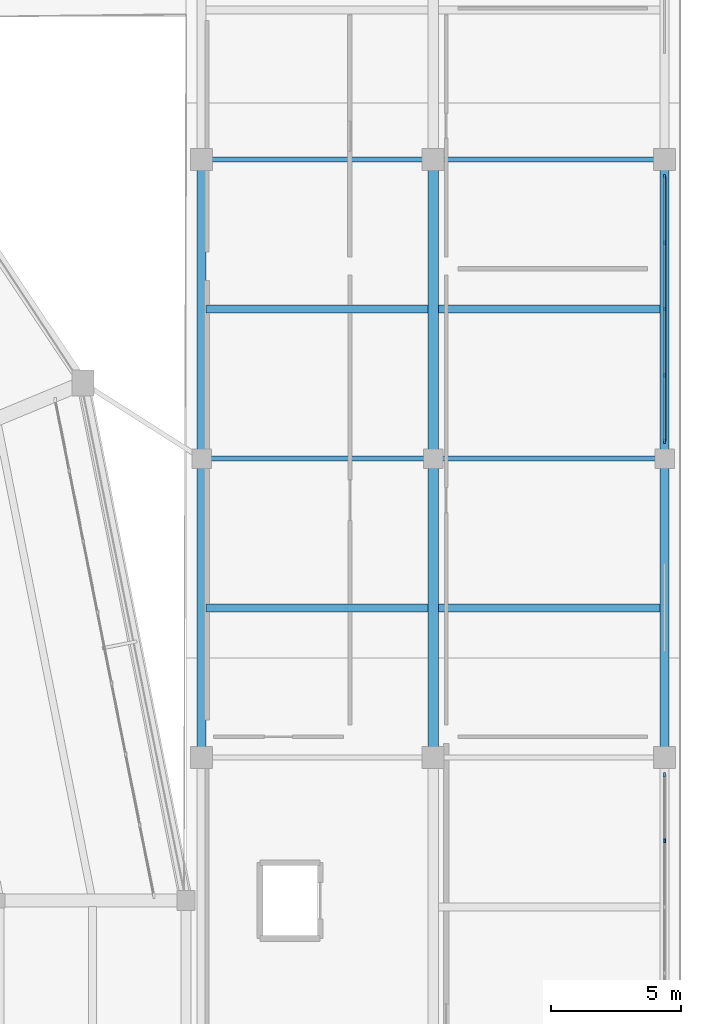
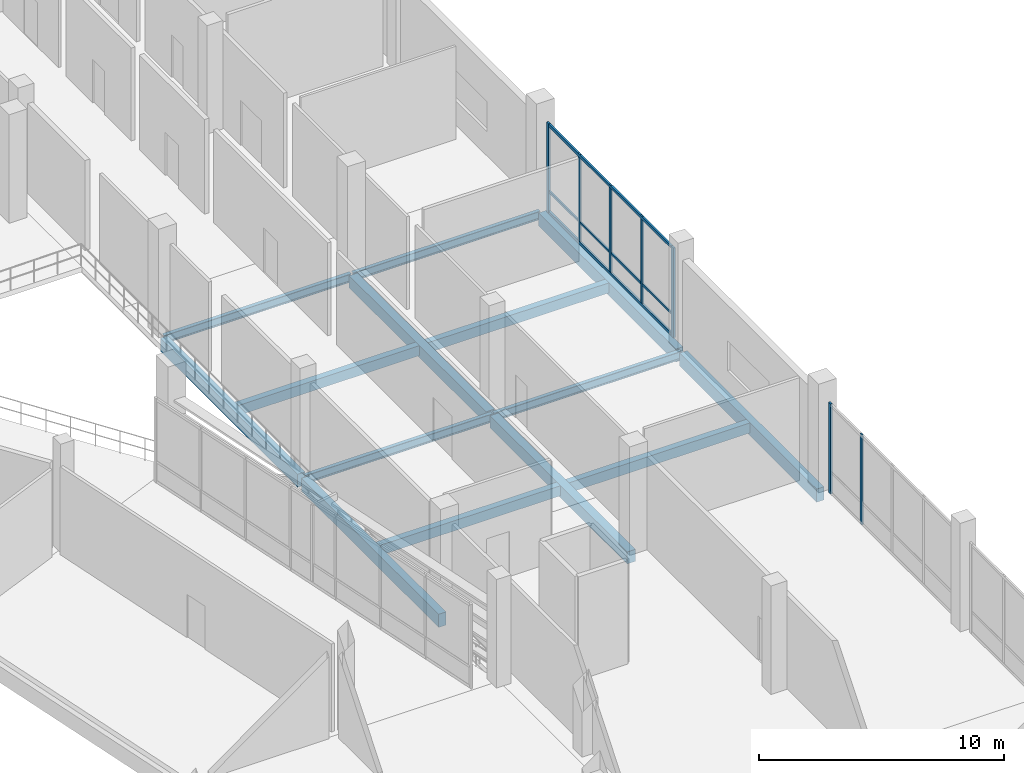
# One storey, part 45 of 114: 14 beams, 10 members, 2 elements without a shape of their own.
"""IFC4 building model written with IfcOpenShell, lengths in metres."""

import ifcopenshell
import ifcopenshell.guid

model = None  # the IFC model being written
_history = None  # IfcOwnerHistory: only IFC2X3 demands one
_inside = {}  # id of a spatial element -> (the spatial element, [elements in it])
_under = {}  # id of a project, library or spatial element -> (it, [spatial elements below it])
_declared = {}  # id of a project -> (the project, [libraries it declares])
_typed = {}  # id of a type object -> (the type object, [elements of that type])
_made_of = {}  # id of a material, layer set ... -> (it, [elements and type objects made of it])


def new_model(schema):
    """Start an empty IFC model of exactly this schema.

    Asked for "IFC4X3", IfcOpenShell would pick the latest addendum, in which some entities
    have other attributes; the version numbers below select the first issue.
    IFC2X3 requires an IfcOwnerHistory on every rooted entity: one is made here for all.
    """
    global model, _history
    if schema == "IFC4X3":
        model = ifcopenshell.file(schema_version=(4, 3, 0, 0))
    else:
        model = ifcopenshell.file(schema=schema)
    _inside.clear()
    _under.clear()
    _declared.clear()
    _typed.clear()
    _made_of.clear()
    _history = None
    if model.schema == "IFC2X3":
        org = make("IfcOrganization", Name="unknown")
        user = make(
            "IfcPersonAndOrganization",
            ThePerson=make("IfcPerson", FamilyName="unknown"),
            TheOrganization=org,
        )
        app = make(
            "IfcApplication",
            ApplicationDeveloper=org,
            Version="unknown",
            ApplicationFullName="unknown",
            ApplicationIdentifier="unknown",
        )
        _history = make(
            "IfcOwnerHistory",
            OwningUser=user,
            OwningApplication=app,
            ChangeAction="ADDED",
            CreationDate=0,
        )
    return model


def make(cls, **values):
    """One entity of the class cls with the attributes given. An attribute that is None is left unset."""
    return model.create_entity(
        cls, **{name: value for name, value in values.items() if value is not None}
    )


def rooted(cls, **values):
    """An entity with a GlobalId (a new one), such as an element, a storey or a relation."""
    return make(cls, GlobalId=ifcopenshell.guid.new(), OwnerHistory=_history, **values)


def si_unit(unit_type, name, prefix=None):
    """IfcSIUnit, for example si_unit("LENGTHUNIT", "METRE", prefix="MILLI")."""
    return make("IfcSIUnit", UnitType=unit_type, Prefix=prefix, Name=name)


def assignment(units):
    """IfcUnitAssignment: the units of a project."""
    return None if units is None else make("IfcUnitAssignment", Units=units)


def point(xyz):
    """IfcCartesianPoint."""
    return None if xyz is None else make("IfcCartesianPoint", Coordinates=xyz)


def direction(xyz):
    """IfcDirection."""
    return None if xyz is None else make("IfcDirection", DirectionRatios=xyz)


def frame(location, z_axis=None, x_axis=None):
    """IfcAxis2Placement3D, a coordinate frame: its origin and axes. An axis left out is left unset."""
    return make(
        "IfcAxis2Placement3D",
        Location=point(location),
        Axis=direction(z_axis),
        RefDirection=direction(x_axis),
    )


def frame_2d(location, x_axis=None):
    """IfcAxis2Placement2D, a coordinate frame in the plane: its origin and x axis."""
    return make(
        "IfcAxis2Placement2D", Location=point(location), RefDirection=direction(x_axis)
    )


def origin():
    """The frame at (0, 0, 0) with its axes left unset."""
    return frame((0.0, 0.0, 0.0))


def origin_2d():
    """The frame at (0, 0) in the plane with its x axis left unset."""
    return frame_2d((0.0, 0.0))


def place(relative_to, where):
    """IfcLocalPlacement: puts the frame where relative to a parent placement (None: the world)."""
    return make(
        "IfcLocalPlacement", PlacementRelTo=relative_to, RelativePlacement=where
    )


def context(
    kind, dimensions, precision=None, world=None, true_north=None, identifier=None
):
    """IfcGeometricRepresentationContext, for example the 3D "Model" context."""
    return make(
        "IfcGeometricRepresentationContext",
        ContextIdentifier=identifier,
        ContextType=kind,
        CoordinateSpaceDimension=dimensions,
        Precision=precision,
        WorldCoordinateSystem=world,
        TrueNorth=true_north,
    )


def subcontext(parent, identifier, kind, view, scale=None):
    """IfcGeometricRepresentationSubContext, for example "Body" below "Model"."""
    return make(
        "IfcGeometricRepresentationSubContext",
        ContextIdentifier=identifier,
        ContextType=kind,
        ParentContext=parent,
        TargetScale=scale,
        TargetView=view,
    )


def project(units=None, contexts=None):
    """IfcProject with its units and contexts."""
    return rooted(
        "IfcProject",
        Name="project",
        RepresentationContexts=contexts,
        UnitsInContext=assignment(units),
    )


def spatial(cls, under=None, at=None, **own):
    """A site, building, storey or space (cls), placed at a placement, below another one or the project."""
    s = rooted(cls, ObjectPlacement=at, **own)
    if under is not None:
        _under.setdefault(under.id(), (under, []))[1].append(s)
    return s


def profile(cls, at=None, kind="AREA", **sizes):
    """A parametric profile (cls). Its sizes go by their IFC names, for example OverallWidth=200.0."""
    return make(cls, ProfileType=kind, Position=at, **sizes)


def rectangle(**sizes):
    """IfcRectangleProfileDef."""
    return profile("IfcRectangleProfileDef", **sizes)


def i_section(**sizes):
    """IfcIShapeProfileDef."""
    return profile("IfcIShapeProfileDef", **sizes)


def extrude(swept, where, along, depth):
    """IfcExtrudedAreaSolid: the profile swept, set in the frame where, extruded along a direction by depth."""
    return make(
        "IfcExtrudedAreaSolid",
        SweptArea=swept,
        Position=where,
        ExtrudedDirection=direction(along),
        Depth=depth,
    )


def shape(context_of_items, identifier, shape_type, items):
    """IfcShapeRepresentation: the items that make up one representation, for example the "Body"."""
    return make(
        "IfcShapeRepresentation",
        ContextOfItems=context_of_items,
        RepresentationIdentifier=identifier,
        RepresentationType=shape_type,
        Items=items,
    )


def material(Name=None, Category=None):
    """IfcMaterial."""
    return make("IfcMaterial", Name=Name, Category=Category)


def material_profile(
    of_material, cross_section, Name=None, Category=None, Priority=None
):
    """IfcMaterialProfile: a cross section and its material."""
    return make(
        "IfcMaterialProfile",
        Name=Name,
        Material=of_material,
        Profile=cross_section,
        Priority=Priority,
        Category=Category,
    )


def profile_set(profiles, Name=None, composite=None):
    """IfcMaterialProfileSet."""
    return make(
        "IfcMaterialProfileSet",
        Name=Name,
        MaterialProfiles=profiles,
        CompositeProfile=composite,
    )


def made_of(thing, what):
    """Note that an element or type object is made of a material, layer set ...; save() writes the relation."""
    if what is not None:
        _made_of.setdefault(what.id(), (what, []))[1].append(thing)
    return thing


def type_object(cls, material=None, **own):
    """A type object (cls), such as IfcWallType, which elements share."""
    return made_of(rooted(cls, **own), material)


def element(
    cls,
    number,
    at=None,
    inside=None,
    cuts=None,
    type_object=None,
    material=None,
    context=None,
    identifier="Body",
    shape_type=None,
    held_by="IfcProductDefinitionShape",
    body=None,
    shapes=None,
    **own,
):
    """One element of the class cls, such as IfcWall. Its Tag is "e" and its number.

    at: its placement. inside: the storey or other place that contains it. cuts: it is an
    opening in that element (IfcRelVoidsElement). A single representation is given by context,
    identifier, shape_type and body (its items); several are given by shapes. held_by: the class
    of the entity that holds the representations. save() writes the other relations.
    """
    e = rooted(cls, Tag="e%d" % number, ObjectPlacement=at, **own)
    if body is not None:
        shapes = [shape(context, identifier, shape_type, body)]
    if shapes is not None:
        e.Representation = make(held_by, Representations=shapes)
    if inside is not None:
        _inside.setdefault(inside.id(), (inside, []))[1].append(e)
    if cuts is not None:
        rooted(
            "IfcRelVoidsElement", RelatingBuildingElement=cuts, RelatedOpeningElement=e
        )
    if type_object is not None:
        _typed.setdefault(type_object.id(), (type_object, []))[1].append(e)
    return made_of(e, material)


def aggregate(whole, parts):
    """IfcRelAggregates: a whole, such as a stair, and the parts it consists of."""
    return rooted("IfcRelAggregates", RelatingObject=whole, RelatedObjects=parts)


def save(model, path):
    """Write the relations noted so far, then the file.

    IfcRelAggregates (storeys below a building ...), IfcRelContainedInSpatialStructure (elements
    in a storey), IfcRelDefinesByType, IfcRelAssociatesMaterial and IfcRelDeclares: one each for
    every whole, place, type object, material and project.
    """
    for whole, parts in _under.values():
        aggregate(whole, parts)
    for where, things in _inside.values():
        rooted(
            "IfcRelContainedInSpatialStructure",
            RelatedElements=things,
            RelatingStructure=where,
        )
    for kind, things in _typed.values():
        rooted("IfcRelDefinesByType", RelatedObjects=things, RelatingType=kind)
    for what, things in _made_of.values():
        rooted("IfcRelAssociatesMaterial", RelatedObjects=things, RelatingMaterial=what)
    for by, libraries in _declared.values():
        rooted("IfcRelDeclares", RelatingContext=by, RelatedDefinitions=libraries)
    model.write(path)


model = new_model("IFC4")

# Units and contexts
model_context = context("Model", 3, precision=1e-05, world=origin(), true_north=direction((0.0, 1.0)))
body_context = subcontext(model_context, "Body", "Model", "MODEL_VIEW")
ifc_project = project(units=[si_unit("LENGTHUNIT", "METRE"), si_unit("AREAUNIT", "SQUARE_METRE"), si_unit("VOLUMEUNIT", "CUBIC_METRE"), si_unit("PLANEANGLEUNIT", "RADIAN"), si_unit("MASSUNIT", "GRAM", prefix="KILO")], contexts=[model_context])

# Site, building, storey
site_placement = place(None, origin())
site = spatial("IfcSite", under=ifc_project, at=site_placement, CompositionType="ELEMENT")
building_placement = place(site_placement, origin())
building = spatial("IfcBuilding", under=site, at=building_placement, Name="Candeia Ridge Stadium", CompositionType="ELEMENT")
storey_placement = place(building_placement, frame((0.0, 0.0, 5.39990234375)))
storey = spatial("IfcBuildingStorey", under=building, at=storey_placement, Name="L01", CompositionType="ELEMENT", Elevation=5.39990234375)

# Curtain wall, member
ifc_material_1 = material(Name="Aluminium Anodized Warm Bronze", Category="aluminium")
curtain_wall_type = type_object("IfcCurtainWallType", Name="Cardinal Entrance Gate Tall Glazed Curtain Wall", PredefinedType="NOTDEFINED", material=ifc_material_1)
curtain_wall_1_placement = place(storey_placement, origin())
curtain_wall_1 = element("IfcCurtainWall", 1, at=curtain_wall_1_placement, inside=storey, type_object=curtain_wall_type, Name="Unitised curtain wall CW-WNG-L01-104", PredefinedType="NOTDEFINED")
ifc_material_profile_1 = material_profile(ifc_material_1, rectangle(XDim=0.090087890625, YDim=0.179931640625, at=origin_2d()), Name="CWM-90x180", Category="aluminium")
ifc_profile_set_1 = profile_set([ifc_material_profile_1], Name="Aluminium Anodized Warm Bronze")
member_type_1 = type_object("IfcMemberType", Name="Curtain Wall Primary Mullion 90x180", PredefinedType="MULLION", material=ifc_profile_set_1)
member_1_placement = place(storey_placement, frame((211.39990234375, 99.840087890625, 0.0), z_axis=(0.0, 0.0, 1.0), x_axis=(1.0, 0.0, 0.0)))
member_1 = element("IfcMember", 2, at=member_1_placement, type_object=member_type_1, Name="Curtain wall mullion CW-WNG-L01-104-M4", PredefinedType="MULLION", context=body_context, shape_type="SweptSolid", body=[
    extrude(rectangle(XDim=0.090087890625, YDim=0.179931640625, at=origin_2d()), origin(), (0.0, 0.0, 1.0), 4.47509765625),
])

# Curtain wall, members
curtain_wall_2_placement = place(storey_placement, origin())
curtain_wall_2 = element("IfcCurtainWall", 3, at=curtain_wall_2_placement, inside=storey, type_object=curtain_wall_type, Name="Unitised curtain wall CW-WNG-L01-105", PredefinedType="NOTDEFINED")
member_2_placement = place(storey_placement, frame((211.39990234375, 112.659912109375, 0.0), z_axis=(0.0, 0.0, 1.0), x_axis=(1.0, 0.0, 0.0)))
member_2 = element("IfcMember", 4, at=member_2_placement, type_object=member_type_1, Name="Curtain wall mullion CW-WNG-L01-105-M0", PredefinedType="MULLION", context=body_context, shape_type="SweptSolid", body=[
    extrude(rectangle(XDim=0.090087890625, YDim=0.179931640625, at=origin_2d()), origin(), (0.0, 0.0, 1.0), 4.47509765625),
])
member_3_placement = place(storey_placement, frame((211.39990234375, 122.840087890625, 0.0), z_axis=(0.0, 0.0, 1.0), x_axis=(1.0, 0.0, 0.0)))
member_3 = element("IfcMember", 5, at=member_3_placement, type_object=member_type_1, Name="Curtain wall mullion CW-WNG-L01-105-M4", PredefinedType="MULLION", context=body_context, shape_type="SweptSolid", body=[
    extrude(rectangle(XDim=0.090087890625, YDim=0.179931640625, at=origin_2d()), origin(), (0.0, 0.0, 1.0), 4.47509765625),
])

# Member
ifc_material_profile_2 = material_profile(ifc_material_1, rectangle(XDim=0.074951171875, YDim=0.14990234375, at=origin_2d()), Name="CWM-75x150", Category="aluminium")
ifc_profile_set_2 = profile_set([ifc_material_profile_2], Name="Aluminium Anodized Warm Bronze")
member_type_2 = type_object("IfcMemberType", Name="Curtain Wall Secondary Mullion 75x150", PredefinedType="MULLION", material=ifc_profile_set_2)
member_4_placement = place(storey_placement, frame((211.39990234375, 97.294921875, 0.0), z_axis=(0.0, 0.0, 1.0), x_axis=(1.0, 0.0, 0.0)))
member_4 = element("IfcMember", 6, at=member_4_placement, type_object=member_type_2, Name="Curtain wall mullion CW-WNG-L01-104-M3", PredefinedType="MULLION", context=body_context, shape_type="SweptSolid", body=[
    extrude(rectangle(XDim=0.074951171875, YDim=0.14990234375, at=origin_2d()), origin(), (0.0, 0.0, 1.0), 4.47509765625),
])

aggregate(curtain_wall_1, [member_4, member_1])

member_5_placement = place(storey_placement, frame((211.39990234375, 115.205078125, 0.0), z_axis=(0.0, 0.0, 1.0), x_axis=(1.0, 0.0, 0.0)))
member_5 = element("IfcMember", 7, at=member_5_placement, type_object=member_type_2, Name="Curtain wall mullion CW-WNG-L01-105-M1", PredefinedType="MULLION", context=body_context, shape_type="SweptSolid", body=[
    extrude(rectangle(XDim=0.074951171875, YDim=0.14990234375, at=origin_2d()), origin(), (0.0, 0.0, 1.0), 4.47509765625),
])

member_6_placement = place(storey_placement, frame((211.39990234375, 117.75, 0.0), z_axis=(0.0, 0.0, 1.0), x_axis=(1.0, 0.0, 0.0)))
member_6 = element("IfcMember", 8, at=member_6_placement, type_object=member_type_2, Name="Curtain wall mullion CW-WNG-L01-105-M2", PredefinedType="MULLION", context=body_context, shape_type="SweptSolid", body=[
    extrude(rectangle(XDim=0.074951171875, YDim=0.14990234375, at=origin_2d()), origin(), (0.0, 0.0, 1.0), 4.47509765625),
])

member_7_placement = place(storey_placement, frame((211.39990234375, 120.294921875, 0.0), z_axis=(0.0, 0.0, 1.0), x_axis=(1.0, 0.0, 0.0)))
member_7 = element("IfcMember", 9, at=member_7_placement, type_object=member_type_2, Name="Curtain wall mullion CW-WNG-L01-105-M3", PredefinedType="MULLION", context=body_context, shape_type="SweptSolid", body=[
    extrude(rectangle(XDim=0.074951171875, YDim=0.14990234375, at=origin_2d()), origin(), (0.0, 0.0, 1.0), 4.47509765625),
])

ifc_material_profile_3 = material_profile(ifc_material_1, rectangle(XDim=0.074951171875, YDim=0.110107421875, at=origin_2d()), Name="CWT-75x110", Category="aluminium")
ifc_profile_set_3 = profile_set([ifc_material_profile_3], Name="Aluminium Anodized Warm Bronze")
member_type_3 = type_object("IfcMemberType", Name="Curtain Wall Secondary Transom 75x110", PredefinedType="USERDEFINED", material=ifc_profile_set_3)
member_8_placement = place(storey_placement, frame((211.39990234375, 112.659912109375, 1.10009765625), z_axis=(0.0, 1.0, 0.0), x_axis=(-1.0, 0.0, 0.0)))
member_8 = element("IfcMember", 10, at=member_8_placement, type_object=member_type_3, Name="Curtain wall transom CW-WNG-L01-105-T1", ObjectType="TRANSOM", PredefinedType="USERDEFINED", context=body_context, shape_type="SweptSolid", body=[
    extrude(rectangle(XDim=0.074951171875, YDim=0.110107421875, at=origin_2d()), origin(), (0.0, 0.0, 1.0), 10.18017578125),
])

ifc_material_profile_4 = material_profile(ifc_material_1, rectangle(XDim=0.090087890625, YDim=0.139892578125, at=origin_2d()), Name="CWT-90x140", Category="aluminium")
ifc_profile_set_4 = profile_set([ifc_material_profile_4], Name="Aluminium Anodized Warm Bronze")
member_type_4 = type_object("IfcMemberType", Name="Curtain Wall Transom 90x140", PredefinedType="USERDEFINED", material=ifc_profile_set_4)
member_9_placement = place(storey_placement, frame((211.39990234375, 112.659912109375, 0.070068359375), z_axis=(0.0, 1.0, 0.0), x_axis=(-1.0, 0.0, 0.0)))
member_9 = element("IfcMember", 11, at=member_9_placement, type_object=member_type_4, Name="Curtain wall transom CW-WNG-L01-105-T0", ObjectType="TRANSOM", PredefinedType="USERDEFINED", context=body_context, shape_type="SweptSolid", body=[
    extrude(rectangle(XDim=0.090087890625, YDim=0.139892578125, at=origin_2d()), origin(), (0.0, 0.0, 1.0), 10.18017578125),
])

member_10_placement = place(storey_placement, frame((211.39990234375, 112.659912109375, 4.405029296875), z_axis=(0.0, 1.0, 0.0), x_axis=(-1.0, 0.0, 0.0)))
member_10 = element("IfcMember", 12, at=member_10_placement, type_object=member_type_4, Name="Curtain wall transom CW-WNG-L01-105-T2", ObjectType="TRANSOM", PredefinedType="USERDEFINED", context=body_context, shape_type="SweptSolid", body=[
    extrude(rectangle(XDim=0.090087890625, YDim=0.139892578125, at=origin_2d()), origin(), (0.0, 0.0, 1.0), 10.18017578125),
])

aggregate(curtain_wall_2, [member_2, member_5, member_6, member_7, member_3, member_9, member_8, member_10])

# Beams
ifc_material_2 = material(Name="Concrete C40/50", Category="concrete")
ifc_material_profile_5 = material_profile(ifc_material_2, rectangle(XDim=0.300048828125, YDim=0.5, at=origin_2d()), Name="RC300x500", Category="concrete")
ifc_profile_set_5 = profile_set([ifc_material_profile_5], Name="Concrete C40/50")
beam_type_1 = type_object("IfcBeamType", Name="Floor Joist RC300x500", PredefinedType="JOIST", material=ifc_profile_set_5)
for number, where, z_axis, x_axis, name in (
    (13, (193.7744140625, 106.25, -0.510009765625), (1.0, 0.0, 0.0), (0.0, 1.0, 0.0), "Wing secondary joist BM-L01-1498"),
    (14, (193.7744140625, 117.75, -0.510009765625), (1.0, 0.0, 0.0), (0.0, 1.0, 0.0), "Wing secondary joist BM-L01-1500"),
    (15, (202.699462890625, 106.25, -0.510009765625), (1.0, 0.0, 0.0), (0.0, 1.0, 0.0), "Wing secondary joist BM-L01-1520"),
    (16, (202.699462890625, 117.75, -0.510009765625), (1.0, 0.0, 0.0), (0.0, 1.0, 0.0), "Wing secondary joist BM-L01-1522"),
):
    element("IfcBeam", number, at=place(storey_placement, frame(where, z_axis=z_axis, x_axis=x_axis)), inside=storey, type_object=beam_type_1, Name=name, PredefinedType="JOIST", context=body_context, shape_type="SweptSolid", body=[
        extrude(rectangle(XDim=0.300048828125, YDim=0.5, at=origin_2d()), origin(), (0.0, 0.0, 1.0), 8.526123046875),
    ])
ifc_material_profile_6 = material_profile(ifc_material_2, rectangle(XDim=0.39990234375, YDim=0.60009765625, at=origin_2d()), Name="RC400x600", Category="concrete")
ifc_profile_set_6 = profile_set([ifc_material_profile_6], Name="Concrete C40/50")
beam_type_2 = type_object("IfcBeamType", Name="Frame Girder RC400x600", PredefinedType="BEAM", material=ifc_profile_set_6)
for number, where, z_axis, x_axis, name in (
    (17, (202.5, 100.659912109375, -0.559814453125), (0.0, 1.0, 0.0), (-1.0, 0.0, 0.0), "Structural girder BM-L01-1470"),
    (18, (202.5, 112.159912109375, -0.559814453125), (0.0, 1.0, 0.0), (-1.0, 0.0, 0.0), "Structural girder BM-L01-1471"),
):
    element("IfcBeam", number, at=place(storey_placement, frame(where, z_axis=z_axis, x_axis=x_axis)), inside=storey, type_object=beam_type_2, Name=name, PredefinedType="BEAM", context=body_context, shape_type="SweptSolid", body=[
        extrude(rectangle(XDim=0.39990234375, YDim=0.60009765625, at=origin_2d()), origin(), (0.0, 0.0, 1.0), 11.18017578125),
    ])
ifc_material_profile_7 = material_profile(ifc_material_2, rectangle(XDim=0.35009765625, YDim=0.64990234375, at=origin_2d()), Name="RC350x650", Category="concrete")
ifc_profile_set_7 = profile_set([ifc_material_profile_7], Name="Concrete C40/50")
beam_type_3 = type_object("IfcBeamType", Name="Spandrel Beam RC350x650", PredefinedType="SPANDREL", material=ifc_profile_set_7)
for number, where, z_axis, x_axis, name in (
    (19, (193.60009765625, 100.659912109375, -0.5849609375), (0.0, 1.0, 0.0), (-1.0, 0.0, 0.0), "Structural girder BM-L01-1459"),
    (20, (193.60009765625, 112.159912109375, -0.5849609375), (0.0, 1.0, 0.0), (-1.0, 0.0, 0.0), "Structural girder BM-L01-1460"),
    (21, (211.39990234375, 100.659912109375, -0.5849609375), (0.0, 1.0, 0.0), (-1.0, 0.0, 0.0), "Structural girder BM-L01-1481"),
    (22, (211.39990234375, 112.159912109375, -0.5849609375), (0.0, 1.0, 0.0), (-1.0, 0.0, 0.0), "Structural girder BM-L01-1482"),
):
    element("IfcBeam", number, at=place(storey_placement, frame(where, z_axis=z_axis, x_axis=x_axis)), inside=storey, type_object=beam_type_3, Name=name, PredefinedType="SPANDREL", context=body_context, shape_type="SweptSolid", body=[
        extrude(rectangle(XDim=0.35009765625, YDim=0.64990234375, at=origin_2d()), origin(), (0.0, 0.0, 1.0), 11.18017578125),
    ])
ifc_material_3 = material(Name="Steel ASTM A572 Grade 50", Category="steel")
ifc_material_profile_8 = material_profile(ifc_material_3, i_section(OverallWidth=0.178955078125, OverallDepth=0.409912109375, WebThickness=0.0087890625, FlangeThickness=0.014404296875, FilletRadius=0.011962890625, at=origin_2d()), Name="W410x67", Category="steel")
ifc_profile_set_8 = profile_set([ifc_material_profile_8], Name="Steel ASTM A572 Grade 50")
beam_type_4 = type_object("IfcBeamType", Name="Warm-Up Hall Girder W410x67", PredefinedType="BEAM", material=ifc_profile_set_8)
for number, where, z_axis, x_axis, name in (
    (23, (193.64990234375, 112.0, -0.46484375), (1.0, 0.0, 0.0), (0.0, 1.0, 0.0), "Structural girder BM-L01-1499"),
    (24, (193.64990234375, 123.5, -0.46484375), (1.0, 0.0, 0.0), (0.0, 1.0, 0.0), "Structural girder BM-L01-1501"),
    (25, (202.550048828125, 112.0, -0.46484375), (1.0, 0.0, 0.0), (0.0, 1.0, 0.0), "Structural girder BM-L01-1521"),
    (26, (202.550048828125, 123.5, -0.46484375), (1.0, 0.0, 0.0), (0.0, 1.0, 0.0), "Structural girder BM-L01-1523"),
):
    element("IfcBeam", number, at=place(storey_placement, frame(where, z_axis=z_axis, x_axis=x_axis)), inside=storey, type_object=beam_type_4, Name=name, PredefinedType="BEAM", context=body_context, shape_type="SweptSolid", body=[
        extrude(i_section(OverallWidth=0.178955078125, OverallDepth=0.409912109375, WebThickness=0.0087890625, FlangeThickness=0.014404296875, FilletRadius=0.011962890625, at=origin_2d()), origin(), (0.0, 0.0, 1.0), 8.800048828125),
    ])

save(model, "model.ifc")
